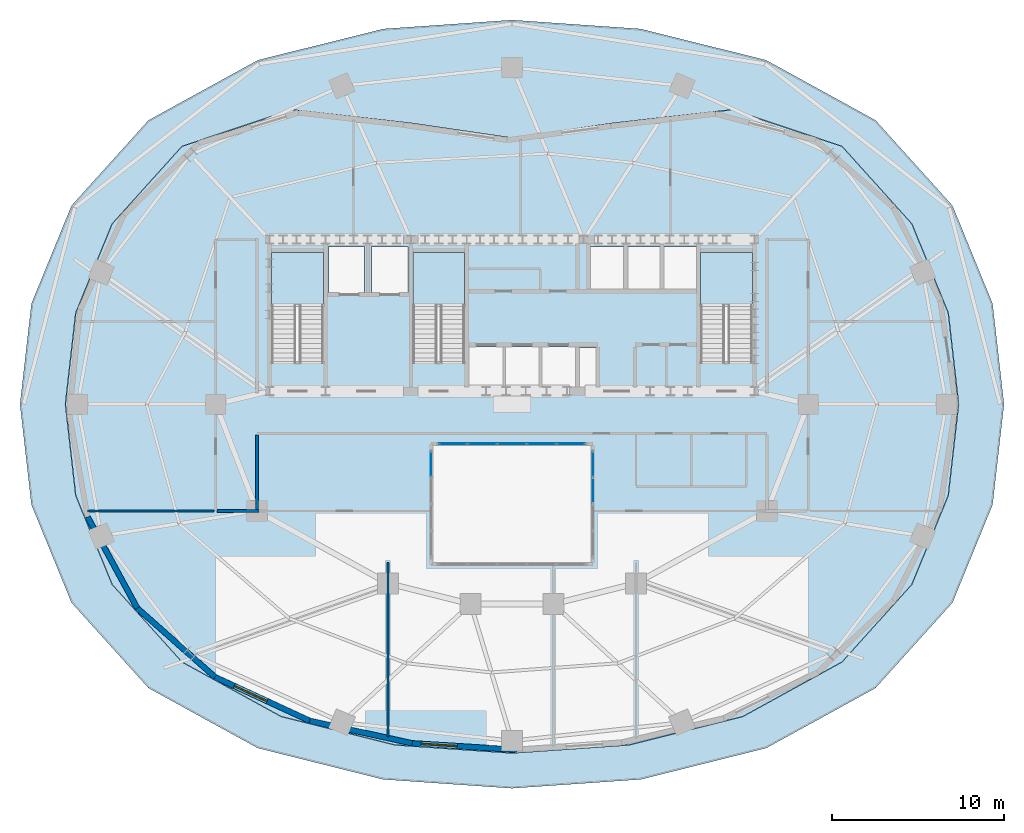
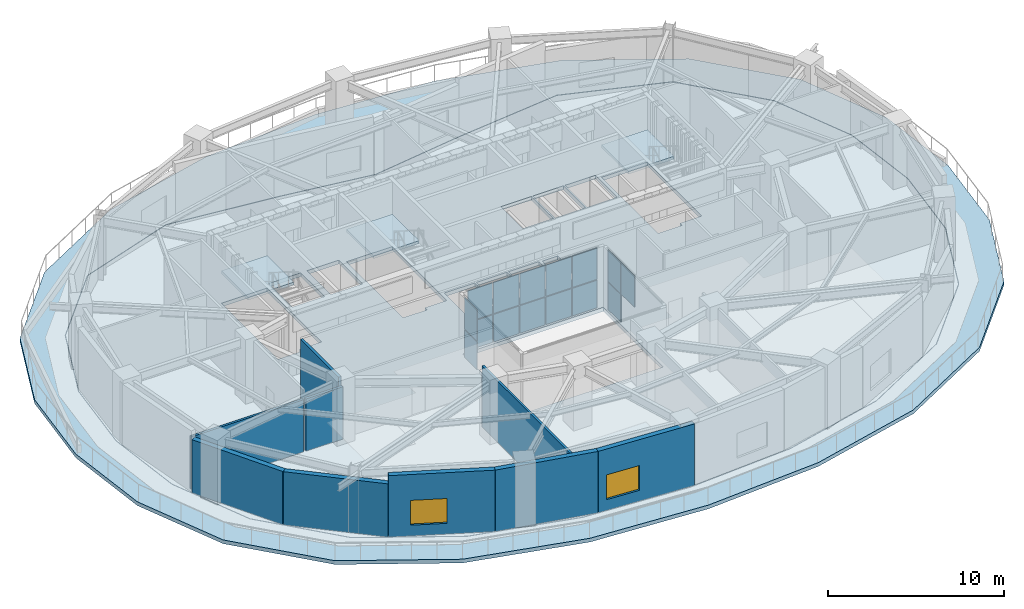
# One storey, part 5 of 11: 15 plates, 9 walls, 5 slabs, 2 windows, 2 openings, 6 elements without a shape of their own.
"""IFC4 building model written with IfcOpenShell, lengths in metres."""

from ifc_helpers import new_model, si_unit, direction, frame, frame_2d, origin, origin_2d, place, context, subcontext, project, spatial, polyline, rectangle, outline, extrude, material, layer, layer_set, type_object, element, fill, aggregate, save


model = new_model("IFC4")

# Units and contexts
model_context = context("Model", 3, precision=1e-05, world=origin(), true_north=direction((0.0, 1.0)))
body_context = subcontext(model_context, "Body", "Model", "MODEL_VIEW")
ifc_project = project(units=[si_unit("LENGTHUNIT", "METRE"), si_unit("AREAUNIT", "SQUARE_METRE"), si_unit("VOLUMEUNIT", "CUBIC_METRE"), si_unit("PLANEANGLEUNIT", "RADIAN"), si_unit("MASSUNIT", "GRAM", prefix="KILO")], contexts=[model_context])

# Site, building, storey
site_placement = place(None, origin())
site = spatial("IfcSite", under=ifc_project, at=site_placement, CompositionType="ELEMENT")
building_placement = place(site_placement, origin())
building = spatial("IfcBuilding", under=site, at=building_placement, Name="Haldorwick Loom Tower", CompositionType="ELEMENT")
storey_placement = place(building_placement, frame((0.0, 0.0, 131.14990234375)))
storey = spatial("IfcBuildingStorey", under=building, at=storey_placement, Name="L35", CompositionType="ELEMENT", Elevation=131.14990234375)

# Curtain wall, plates
ifc_material_1 = material(Name="Thermally Broken Anodized Aluminium Curtain Wall Framing", Category="aluminium")
curtain_wall_type = type_object("IfcCurtainWallType", Name="ARC-CW-03", PredefinedType="NOTDEFINED", material=ifc_material_1)
curtain_wall_1_placement = place(storey_placement, origin())
curtain_wall_1 = element("IfcCurtainWall", 1, at=curtain_wall_1_placement, inside=storey, type_object=curtain_wall_type, Name="L35 Atrium Glazed Screen N", PredefinedType="NOTDEFINED")
ifc_material_2 = material(Name="Triple-Glazed Low-E Argon Insulated Glazing Unit", Category="glass")
ifc_layer_1 = layer(ifc_material_2, 0.04296875, Name="Triple-Glazed Low-E Argon Insulated Glazing Unit", Category="glass")
ifc_layer_set_1 = layer_set([ifc_layer_1], Name="Triple-Glazed Low-E Argon Insulated Glazing Unit")
plate_type = type_object("IfcPlateType", Name="ARC-CWP-03", PredefinedType="CURTAIN_PANEL", material=ifc_layer_set_1)
plate_1_placement = place(storey_placement, frame((32.576416015625, 23.699951171875, 0.066162109375), z_axis=(0.0, 0.0, 1.0), x_axis=(1.0, 0.0, 0.0)))
plate_1 = element("IfcPlate", 2, at=plate_1_placement, type_object=plate_type, Name="CW-03 panel 1.1", PredefinedType="CURTAIN_PANEL", context=body_context, shape_type="SweptSolid", body=[
    extrude(rectangle(XDim=1.62109375, YDim=0.04296875, at=origin_2d()), origin(), (0.0, 0.0, 1.0), 1.90087890625),
])
plate_2_placement = place(storey_placement, frame((32.576416015625, 23.699951171875, 2.033203125), z_axis=(0.0, 0.0, 1.0), x_axis=(1.0, 0.0, 0.0)))
plate_2 = element("IfcPlate", 3, at=plate_2_placement, type_object=plate_type, Name="CW-03 panel 1.2", PredefinedType="CURTAIN_PANEL", context=body_context, shape_type="SweptSolid", body=[
    extrude(rectangle(XDim=1.62109375, YDim=0.04296875, at=origin_2d()), origin(), (0.0, 0.0, 1.0), 2.160888671875),
])
plate_3_placement = place(storey_placement, frame((34.280029296875, 23.699951171875, 0.066162109375), z_axis=(0.0, 0.0, 1.0), x_axis=(1.0, 0.0, 0.0)))
plate_3 = element("IfcPlate", 4, at=plate_3_placement, type_object=plate_type, Name="CW-03 panel 2.1", PredefinedType="CURTAIN_PANEL", context=body_context, shape_type="SweptSolid", body=[
    extrude(rectangle(XDim=1.654052734375, YDim=0.04296875, at=origin_2d()), origin(), (0.0, 0.0, 1.0), 1.90087890625),
])
plate_4_placement = place(storey_placement, frame((34.280029296875, 23.699951171875, 2.033203125), z_axis=(0.0, 0.0, 1.0), x_axis=(1.0, 0.0, 0.0)))
plate_4 = element("IfcPlate", 5, at=plate_4_placement, type_object=plate_type, Name="CW-03 panel 2.2", PredefinedType="CURTAIN_PANEL", context=body_context, shape_type="SweptSolid", body=[
    extrude(rectangle(XDim=1.654052734375, YDim=0.04296875, at=origin_2d()), origin(), (0.0, 0.0, 1.0), 2.160888671875),
])
plate_5_placement = place(storey_placement, frame((36.0, 23.699951171875, 0.066162109375), z_axis=(0.0, 0.0, 1.0), x_axis=(1.0, 0.0, 0.0)))
plate_5 = element("IfcPlate", 6, at=plate_5_placement, type_object=plate_type, Name="CW-03 panel 3.1", PredefinedType="CURTAIN_PANEL", context=body_context, shape_type="SweptSolid", body=[
    extrude(rectangle(XDim=1.654052734375, YDim=0.04296875, at=origin_2d()), origin(), (0.0, 0.0, 1.0), 1.90087890625),
])
plate_6_placement = place(storey_placement, frame((36.0, 23.699951171875, 2.033203125), z_axis=(0.0, 0.0, 1.0), x_axis=(1.0, 0.0, 0.0)))
plate_6 = element("IfcPlate", 7, at=plate_6_placement, type_object=plate_type, Name="CW-03 panel 3.2", PredefinedType="CURTAIN_PANEL", context=body_context, shape_type="SweptSolid", body=[
    extrude(rectangle(XDim=1.654052734375, YDim=0.04296875, at=origin_2d()), origin(), (0.0, 0.0, 1.0), 2.160888671875),
])
plate_7_placement = place(storey_placement, frame((37.719970703125, 23.699951171875, 0.066162109375), z_axis=(0.0, 0.0, 1.0), x_axis=(1.0, 0.0, 0.0)))
plate_7 = element("IfcPlate", 8, at=plate_7_placement, type_object=plate_type, Name="CW-03 panel 4.1", PredefinedType="CURTAIN_PANEL", context=body_context, shape_type="SweptSolid", body=[
    extrude(rectangle(XDim=1.654052734375, YDim=0.04296875, at=origin_2d()), origin(), (0.0, 0.0, 1.0), 1.90087890625),
])
plate_8_placement = place(storey_placement, frame((37.719970703125, 23.699951171875, 2.033203125), z_axis=(0.0, 0.0, 1.0), x_axis=(1.0, 0.0, 0.0)))
plate_8 = element("IfcPlate", 9, at=plate_8_placement, type_object=plate_type, Name="CW-03 panel 4.2", PredefinedType="CURTAIN_PANEL", context=body_context, shape_type="SweptSolid", body=[
    extrude(rectangle(XDim=1.654052734375, YDim=0.04296875, at=origin_2d()), origin(), (0.0, 0.0, 1.0), 2.160888671875),
])
plate_9_placement = place(storey_placement, frame((39.423583984375, 23.699951171875, 0.066162109375), z_axis=(0.0, 0.0, 1.0), x_axis=(1.0, 0.0, 0.0)))
plate_9 = element("IfcPlate", 10, at=plate_9_placement, type_object=plate_type, Name="CW-03 panel 5.1", PredefinedType="CURTAIN_PANEL", context=body_context, shape_type="SweptSolid", body=[
    extrude(rectangle(XDim=1.62109375, YDim=0.04296875, at=origin_2d()), origin(), (0.0, 0.0, 1.0), 1.90087890625),
])
plate_10_placement = place(storey_placement, frame((39.423583984375, 23.699951171875, 2.033203125), z_axis=(0.0, 0.0, 1.0), x_axis=(1.0, 0.0, 0.0)))
plate_10 = element("IfcPlate", 11, at=plate_10_placement, type_object=plate_type, Name="CW-03 panel 5.2", PredefinedType="CURTAIN_PANEL", context=body_context, shape_type="SweptSolid", body=[
    extrude(rectangle(XDim=1.62109375, YDim=0.04296875, at=origin_2d()), origin(), (0.0, 0.0, 1.0), 2.160888671875),
])
aggregate(curtain_wall_1, [plate_1, plate_2, plate_3, plate_4, plate_5, plate_6, plate_7, plate_8, plate_9, plate_10])

curtain_wall_2_placement = place(storey_placement, origin())
curtain_wall_2 = element("IfcCurtainWall", 12, at=curtain_wall_2_placement, inside=storey, type_object=curtain_wall_type, Name="L35 Atrium Glazed Screen W", PredefinedType="NOTDEFINED")
plate_11_placement = place(storey_placement, frame((31.300048828125, 22.508544921875, 0.066162109375), z_axis=(0.0, 0.0, 1.0), x_axis=(0.0, 1.0, 0.0)))
plate_11 = element("IfcPlate", 13, at=plate_11_placement, type_object=plate_type, Name="CW-03 panel 4.1", PredefinedType="CURTAIN_PANEL", context=body_context, shape_type="SweptSolid", body=[
    extrude(rectangle(XDim=1.450927734375, YDim=0.04296875, at=origin_2d()), origin(), (0.0, 0.0, 1.0), 1.90087890625),
])
plate_12_placement = place(storey_placement, frame((31.300048828125, 22.508544921875, 2.033203125), z_axis=(0.0, 0.0, 1.0), x_axis=(0.0, 1.0, 0.0)))
plate_12 = element("IfcPlate", 14, at=plate_12_placement, type_object=plate_type, Name="CW-03 panel 4.2", PredefinedType="CURTAIN_PANEL", context=body_context, shape_type="SweptSolid", body=[
    extrude(rectangle(XDim=1.450927734375, YDim=0.04296875, at=origin_2d()), origin(), (0.0, 0.0, 1.0), 2.160888671875),
])
aggregate(curtain_wall_2, [plate_11, plate_12])

curtain_wall_3_placement = place(storey_placement, origin())
curtain_wall_3 = element("IfcCurtainWall", 15, at=curtain_wall_3_placement, inside=storey, type_object=curtain_wall_type, Name="L35 Atrium Glazed Screen E", PredefinedType="NOTDEFINED")
plate_13_placement = place(storey_placement, frame((40.699951171875, 22.508544921875, 0.066162109375), z_axis=(0.0, 0.0, 1.0), x_axis=(0.0, -1.0, 0.0)))
plate_13 = element("IfcPlate", 16, at=plate_13_placement, type_object=plate_type, Name="CW-03 panel 1.1", PredefinedType="CURTAIN_PANEL", context=body_context, shape_type="SweptSolid", body=[
    extrude(rectangle(XDim=1.450927734375, YDim=0.04296875, at=origin_2d()), origin(), (0.0, 0.0, 1.0), 1.90087890625),
])
plate_14_placement = place(storey_placement, frame((40.699951171875, 22.508544921875, 2.033203125), z_axis=(0.0, 0.0, 1.0), x_axis=(0.0, -1.0, 0.0)))
plate_14 = element("IfcPlate", 17, at=plate_14_placement, type_object=plate_type, Name="CW-03 panel 1.2", PredefinedType="CURTAIN_PANEL", context=body_context, shape_type="SweptSolid", body=[
    extrude(rectangle(XDim=1.450927734375, YDim=0.04296875, at=origin_2d()), origin(), (0.0, 0.0, 1.0), 2.160888671875),
])
plate_15_placement = place(storey_placement, frame((40.699951171875, 20.97509765625, 2.033203125), z_axis=(0.0, 0.0, 1.0), x_axis=(0.0, -1.0, 0.0)))
plate_15 = element("IfcPlate", 18, at=plate_15_placement, type_object=plate_type, Name="CW-03 panel 2.2", PredefinedType="CURTAIN_PANEL", context=body_context, shape_type="SweptSolid", body=[
    extrude(rectangle(XDim=1.48388671875, YDim=0.04296875, at=origin_2d()), origin(), (0.0, 0.0, 1.0), 2.160888671875),
])
aggregate(curtain_wall_3, [plate_13, plate_14, plate_15])

# Slab
ifc_material_3 = material(Name="Concrete C40 (40 MPa)", Category="concrete")
ifc_layer_2 = layer(ifc_material_3, 0.260009765625, Name="Concrete C40 (40 MPa)", Category="concrete")
ifc_layer_set_2 = layer_set([ifc_layer_2], Name="Concrete C40 (40 MPa)")
slab_type_1 = type_object("IfcSlabType", Name="STR-SLB-COMM260", PredefinedType="FLOOR", material=ifc_layer_set_2)
slab_1_placement = place(storey_placement, frame((0.0, 0.0, -0.260009765625)))
element("IfcSlab", 19, at=slab_1_placement, inside=storey, type_object=slab_type_1, Name="L35 Community Sky-Floor Slab", PredefinedType="FLOOR", context=body_context, shape_type="SweptSolid", body=[
    extrude(outline(polyline([(55.150634765625, 11.041015625), (59.2021484375, 15.5361328125), (61.3154296875, 20.701416015625), (61.9169921875, 26.0), (61.3154296875, 31.298583984375), (59.2021484375, 36.4638671875), (55.150634765625, 40.958984375), (48.7958984375, 43.084716796875), (41.8515625, 42.29736328125), (36.0, 41.444580078125), (30.1484375, 42.29736328125), (23.204345703125, 43.084716796875), (16.849365234375, 40.958984375), (12.7978515625, 36.4638671875), (10.6845703125, 31.298583984375), (10.0830078125, 26.0), (10.6845703125, 20.701416015625), (12.7978515625, 15.5361328125), (16.849365234375, 11.041015625), (22.604248046875, 7.876220703125), (29.216796875, 6.225341796875), (36.0, 5.75537109375), (42.783203125, 6.225341796875), (49.395751953125, 7.876220703125), (55.150634765625, 11.041015625)]), holes=[polyline([(31.39990234375, 16.800048828125), (31.39990234375, 23.60009765625), (40.60009765625, 23.60009765625), (40.60009765625, 16.800048828125), (31.39990234375, 16.800048828125)]), polyline([(33.5, 26.85009765625), (33.5, 29.35009765625), (35.5, 29.35009765625), (35.5, 26.85009765625), (33.5, 26.85009765625)]), polyline([(35.60009765625, 26.85009765625), (35.60009765625, 29.35009765625), (37.60009765625, 29.35009765625), (37.60009765625, 26.85009765625), (35.60009765625, 26.85009765625)]), polyline([(23.6201171875, 28.39990234375), (22.050048828125, 28.39990234375), (22.050048828125, 34.800048828125), (25.050048828125, 34.800048828125), (25.050048828125, 28.639892578125), (23.6201171875, 28.639892578125), (23.6201171875, 28.39990234375)]), polyline([(30.25, 28.39990234375), (30.25, 34.800048828125), (33.25, 34.800048828125), (33.25, 28.639892578125), (31.820068359375, 28.639892578125), (31.820068359375, 28.39990234375), (30.25, 28.39990234375)]), polyline([(25.35009765625, 32.449951171875), (25.35009765625, 35.14990234375), (27.449951171875, 35.14990234375), (27.449951171875, 32.449951171875), (25.35009765625, 32.449951171875)]), polyline([(29.949951171875, 32.449951171875), (27.85009765625, 32.449951171875), (27.85009765625, 35.14990234375), (29.949951171875, 35.14990234375), (29.949951171875, 32.449951171875)]), polyline([(37.699951171875, 26.85009765625), (37.699951171875, 29.35009765625), (39.699951171875, 29.35009765625), (39.699951171875, 26.85009765625), (37.699951171875, 26.85009765625)]), polyline([(39.89990234375, 26.89990234375), (39.89990234375, 29.300048828125), (40.89990234375, 29.300048828125), (40.89990234375, 26.89990234375), (39.89990234375, 26.89990234375)]), polyline([(46.949951171875, 28.39990234375), (46.949951171875, 34.800048828125), (49.949951171875, 34.800048828125), (49.949951171875, 28.639892578125), (48.52001953125, 28.639892578125), (48.52001953125, 28.39990234375), (46.949951171875, 28.39990234375)]), polyline([(40.550048828125, 32.64990234375), (40.550048828125, 35.14990234375), (42.550048828125, 35.14990234375), (42.550048828125, 32.64990234375), (40.550048828125, 32.64990234375)]), polyline([(42.64990234375, 32.64990234375), (42.64990234375, 35.14990234375), (44.64990234375, 35.14990234375), (44.64990234375, 32.64990234375), (42.64990234375, 32.64990234375)]), polyline([(44.75, 32.64990234375), (44.75, 35.14990234375), (46.75, 35.14990234375), (46.75, 32.64990234375), (44.75, 32.64990234375)])]), origin(), (0.0, 0.0, 1.0), 0.260009765625),
])

# Stair, slab
stair_type = type_object("IfcStairType", Name="STR-STR-CORE", PredefinedType="HALF_TURN_STAIR", material=ifc_material_3)
stair_1_placement = place(storey_placement, origin())
stair_1 = element("IfcStair", 20, at=stair_1_placement, inside=storey, type_object=stair_type, Name="L35 Exit Stair ST-01", PredefinedType="HALF_TURN_STAIR")
ifc_layer_3 = layer(ifc_material_3, 0.199951171875, Name="Concrete C40 (40 MPa)", Category="concrete")
ifc_layer_set_3 = layer_set([ifc_layer_3], Name="Concrete C40 (40 MPa)")
slab_type_2 = type_object("IfcSlabType", Name="STR-SLB-LAND200", PredefinedType="LANDING", material=ifc_layer_set_3)
slab_2_placement = place(storey_placement, frame((0.0, 0.0, 2.050048828125)))
slab_2 = element("IfcSlab", 21, at=slab_2_placement, type_object=slab_type_2, Name="ST-01 landing 1", PredefinedType="LANDING", context=body_context, shape_type="SweptSolid", body=[
    extrude(outline(polyline([(25.050048828125, 31.760009765625), (25.050048828125, 34.800048828125), (22.050048828125, 34.800048828125), (22.050048828125, 31.760009765625), (25.050048828125, 31.760009765625)])), origin(), (0.0, 0.0, 1.0), 0.199951171875),
])
aggregate(stair_1, [slab_2])

stair_2_placement = place(storey_placement, origin())
stair_2 = element("IfcStair", 22, at=stair_2_placement, inside=storey, type_object=stair_type, Name="L35 Exit Stair ST-02", PredefinedType="HALF_TURN_STAIR")
slab_3_placement = place(storey_placement, frame((0.0, 0.0, 2.050048828125)))
slab_3 = element("IfcSlab", 23, at=slab_3_placement, type_object=slab_type_2, Name="ST-02 landing 1", PredefinedType="LANDING", context=body_context, shape_type="SweptSolid", body=[
    extrude(outline(polyline([(49.949951171875, 31.760009765625), (49.949951171875, 34.800048828125), (46.949951171875, 34.800048828125), (46.949951171875, 31.760009765625), (49.949951171875, 31.760009765625)])), origin(), (0.0, 0.0, 1.0), 0.199951171875),
])
aggregate(stair_2, [slab_3])

stair_3_placement = place(storey_placement, origin())
stair_3 = element("IfcStair", 24, at=stair_3_placement, inside=storey, type_object=stair_type, Name="L35 Exit Stair ST-03", PredefinedType="HALF_TURN_STAIR")
slab_4_placement = place(storey_placement, frame((0.0, 0.0, 2.050048828125)))
slab_4 = element("IfcSlab", 25, at=slab_4_placement, type_object=slab_type_2, Name="ST-03 landing 1", PredefinedType="LANDING", context=body_context, shape_type="SweptSolid", body=[
    extrude(outline(polyline([(33.25, 31.760009765625), (33.25, 34.800048828125), (30.25, 34.800048828125), (30.25, 31.760009765625), (33.25, 31.760009765625)])), origin(), (0.0, 0.0, 1.0), 0.199951171875),
])
aggregate(stair_3, [slab_4])

# Slab
ifc_layer_4 = layer(ifc_material_3, 0.280029296875, Name="Concrete C40 (40 MPa)", Category="concrete")
ifc_layer_set_4 = layer_set([ifc_layer_4], Name="Concrete C40 (40 MPa)")
slab_type_3 = type_object("IfcSlabType", Name="STR-SLB-TERR280", PredefinedType="FLOOR", material=ifc_layer_set_4)
slab_5_placement = place(storey_placement, frame((0.0, 0.0, -0.260009765625)))
element("IfcSlab", 26, at=slab_5_placement, inside=storey, type_object=slab_type_3, Name="L35 Planted Setback Terrace Slab 1", PredefinedType="FLOOR", context=body_context, shape_type="SweptSolid", body=[
    extrude(outline(polyline([(64.557373046875, 25.997802734375), (64.5576171875, 26.0), (64.557373046875, 26.002197265625), (63.89501953125, 31.83349609375), (63.894775390625, 31.835205078125), (63.894287109375, 31.8369140625), (63.893798828125, 31.8388671875), (61.5673828125, 37.522216796875), (61.566650390625, 37.523681640625), (61.56591796875, 37.525146484375), (61.56494140625, 37.526611328125), (61.563720703125, 37.528076171875), (57.10400390625, 42.47412109375), (57.1025390625, 42.475830078125), (57.1005859375, 42.47705078125), (57.098876953125, 42.478271484375), (50.762939453125, 45.961181640625), (50.76123046875, 45.962158203125), (50.759765625, 45.962646484375), (50.758056640625, 45.963134765625), (43.47607421875, 47.780517578125), (43.474365234375, 47.78076171875), (43.47265625, 47.781005859375), (36.00146484375, 48.29833984375), (35.99853515625, 48.29833984375), (28.52734375, 47.781005859375), (28.525634765625, 47.78076171875), (28.52392578125, 47.780517578125), (21.241943359375, 45.963134765625), (21.240234375, 45.962646484375), (21.23876953125, 45.962158203125), (21.237060546875, 45.961181640625), (14.901123046875, 42.478271484375), (14.8994140625, 42.47705078125), (14.8974609375, 42.475830078125), (14.89599609375, 42.47412109375), (10.436279296875, 37.528076171875), (10.43505859375, 37.526611328125), (10.43408203125, 37.525146484375), (10.433349609375, 37.523681640625), (10.4326171875, 37.522216796875), (8.106201171875, 31.8388671875), (8.105712890625, 31.8369140625), (8.105224609375, 31.835205078125), (8.10498046875, 31.83349609375), (7.442626953125, 26.002197265625), (7.4423828125, 26.0), (7.442626953125, 25.997802734375), (8.10498046875, 20.16650390625), (8.105224609375, 20.164794921875), (8.105712890625, 20.1630859375), (8.106201171875, 20.1611328125), (10.4326171875, 14.477783203125), (10.433349609375, 14.476318359375), (10.43408203125, 14.474853515625), (10.43505859375, 14.473388671875), (10.436279296875, 14.471923828125), (14.89599609375, 9.52587890625), (14.8974609375, 9.524169921875), (14.8994140625, 9.52294921875), (14.901123046875, 9.521728515625), (21.237060546875, 6.038818359375), (21.23876953125, 6.037841796875), (21.240234375, 6.037353515625), (21.241943359375, 6.036865234375), (28.52392578125, 4.219482421875), (28.525634765625, 4.21923828125), (28.52734375, 4.218994140625), (35.99853515625, 3.70166015625), (36.00146484375, 3.70166015625), (43.47265625, 4.218994140625), (43.474365234375, 4.21923828125), (43.47607421875, 4.219482421875), (50.758056640625, 6.036865234375), (50.759765625, 6.037353515625), (50.76123046875, 6.037841796875), (50.762939453125, 6.038818359375), (57.098876953125, 9.521728515625), (57.1005859375, 9.52294921875), (57.1025390625, 9.524169921875), (57.10400390625, 9.52587890625), (61.563720703125, 14.471923828125), (61.56494140625, 14.473388671875), (61.56591796875, 14.474853515625), (61.566650390625, 14.476318359375), (61.5673828125, 14.477783203125), (63.893798828125, 20.1611328125), (63.894287109375, 20.1630859375), (63.894775390625, 20.164794921875), (63.89501953125, 20.16650390625), (64.557373046875, 25.997802734375)]), holes=[polyline([(61.931884765625, 25.99853515625), (61.931884765625, 25.998046875), (61.330322265625, 20.699951171875), (61.330322265625, 20.699462890625), (61.330322265625, 20.69873046875), (61.330078125, 20.697998046875), (61.330078125, 20.697509765625), (61.32958984375, 20.696533203125), (61.32958984375, 20.69580078125), (61.329345703125, 20.695556640625), (59.216064453125, 15.530517578125), (59.2158203125, 15.5302734375), (59.215576171875, 15.529541015625), (59.215087890625, 15.52880859375), (59.215087890625, 15.528564453125), (59.214599609375, 15.52783203125), (59.21435546875, 15.52734375), (59.2138671875, 15.526611328125), (59.21337890625, 15.526123046875), (59.213134765625, 15.52587890625), (55.161865234375, 11.031005859375), (55.16162109375, 11.03076171875), (55.160888671875, 11.030029296875), (55.16015625, 11.029296875), (55.15966796875, 11.029052734375), (55.15869140625, 11.0283203125), (55.158203125, 11.02783203125), (55.15771484375, 11.027587890625), (49.403076171875, 7.863037109375), (49.402587890625, 7.86279296875), (49.402099609375, 7.862548828125), (49.4013671875, 7.8623046875), (49.40087890625, 7.862060546875), (49.400146484375, 7.86181640625), (49.3994140625, 7.861572265625), (49.399169921875, 7.861572265625), (42.787109375, 6.210693359375), (42.78662109375, 6.210693359375), (42.7861328125, 6.210693359375), (42.78515625, 6.21044921875), (42.78466796875, 6.21044921875), (42.7841796875, 6.210205078125), (36.00146484375, 5.740478515625), (36.000732421875, 5.740478515625), (35.999267578125, 5.740478515625), (35.99853515625, 5.740478515625), (29.2158203125, 6.210205078125), (29.21533203125, 6.21044921875), (29.21484375, 6.21044921875), (29.2138671875, 6.210693359375), (29.21337890625, 6.210693359375), (29.212890625, 6.210693359375), (22.600830078125, 7.861572265625), (22.600341796875, 7.861572265625), (22.599609375, 7.86181640625), (22.598876953125, 7.862060546875), (22.598388671875, 7.8623046875), (22.59765625, 7.862548828125), (22.59716796875, 7.86279296875), (22.5966796875, 7.863037109375), (16.84228515625, 11.027587890625), (16.841796875, 11.02783203125), (16.84130859375, 11.0283203125), (16.84033203125, 11.029052734375), (16.83984375, 11.029296875), (16.839111328125, 11.030029296875), (16.83837890625, 11.03076171875), (16.838134765625, 11.031005859375), (12.786865234375, 15.52587890625), (12.78662109375, 15.526123046875), (12.7861328125, 15.526611328125), (12.78564453125, 15.52734375), (12.785400390625, 15.52783203125), (12.784912109375, 15.528564453125), (12.784912109375, 15.52880859375), (12.784423828125, 15.529541015625), (12.7841796875, 15.5302734375), (12.783935546875, 15.530517578125), (10.670654296875, 20.695556640625), (10.67041015625, 20.69580078125), (10.67041015625, 20.696533203125), (10.669921875, 20.697509765625), (10.669921875, 20.697998046875), (10.669677734375, 20.69873046875), (10.669677734375, 20.699462890625), (10.669677734375, 20.699951171875), (10.068115234375, 25.998046875), (10.068115234375, 25.99853515625), (10.068115234375, 25.99951171875), (10.068115234375, 26.00048828125), (10.068115234375, 26.00146484375), (10.068115234375, 26.001953125), (10.669677734375, 31.300048828125), (10.669677734375, 31.300537109375), (10.669677734375, 31.30126953125), (10.669921875, 31.302001953125), (10.669921875, 31.302490234375), (10.67041015625, 31.303466796875), (10.67041015625, 31.30419921875), (10.670654296875, 31.304443359375), (12.783935546875, 36.46923828125), (12.7841796875, 36.4697265625), (12.784423828125, 36.47021484375), (12.784912109375, 36.470947265625), (12.784912109375, 36.471435546875), (12.785400390625, 36.47216796875), (12.78564453125, 36.472412109375), (12.7861328125, 36.47314453125), (12.78662109375, 36.4736328125), (12.786865234375, 36.47412109375), (16.838134765625, 40.968994140625), (16.83837890625, 40.96923828125), (16.839111328125, 40.969970703125), (16.839599609375, 40.970703125), (16.840087890625, 40.970947265625), (16.841064453125, 40.971435546875), (16.84130859375, 40.9716796875), (16.84228515625, 40.972412109375), (16.8427734375, 40.972412109375), (16.84375, 40.972900390625), (16.844482421875, 40.97314453125), (16.844970703125, 40.973388671875), (23.19921875, 43.098876953125), (23.19970703125, 43.09912109375), (23.20068359375, 43.09912109375), (23.20166015625, 43.099365234375), (23.2021484375, 43.099609375), (23.203369140625, 43.099609375), (23.203857421875, 43.099609375), (23.204833984375, 43.099609375), (23.205810546875, 43.099609375), (23.206298828125, 43.099609375), (30.150146484375, 42.312255859375), (30.150390625, 42.312255859375), (30.150634765625, 42.312255859375), (30.150634765625, 42.312255859375), (35.9970703125, 41.460205078125), (35.9990234375, 41.4599609375), (36.0009765625, 41.4599609375), (36.0029296875, 41.460205078125), (41.849365234375, 42.312255859375), (41.849365234375, 42.312255859375), (41.849609375, 42.312255859375), (41.849853515625, 42.312255859375), (48.793701171875, 43.099609375), (48.79443359375, 43.099609375), (48.795166015625, 43.099609375), (48.79638671875, 43.099609375), (48.796875, 43.099609375), (48.7978515625, 43.099609375), (48.79833984375, 43.099365234375), (48.799560546875, 43.09912109375), (48.80029296875, 43.09912109375), (48.80078125, 43.098876953125), (55.155029296875, 40.973388671875), (55.155517578125, 40.97314453125), (55.15625, 40.972900390625), (55.1572265625, 40.972412109375), (55.15771484375, 40.972412109375), (55.15869140625, 40.9716796875), (55.158935546875, 40.971435546875), (55.159912109375, 40.970947265625), (55.160400390625, 40.970703125), (55.160888671875, 40.969970703125), (55.16162109375, 40.96923828125), (55.161865234375, 40.968994140625), (59.213134765625, 36.47412109375), (59.21337890625, 36.4736328125), (59.2138671875, 36.47314453125), (59.21435546875, 36.472412109375), (59.214599609375, 36.47216796875), (59.215087890625, 36.471435546875), (59.215087890625, 36.470947265625), (59.215576171875, 36.47021484375), (59.2158203125, 36.4697265625), (59.216064453125, 36.46923828125), (61.329345703125, 31.304443359375), (61.32958984375, 31.30419921875), (61.32958984375, 31.303466796875), (61.330078125, 31.302490234375), (61.330078125, 31.302001953125), (61.330322265625, 31.30126953125), (61.330322265625, 31.300537109375), (61.330322265625, 31.300048828125), (61.931884765625, 26.001953125), (61.931884765625, 26.00146484375), (61.931884765625, 26.00048828125), (61.931884765625, 25.99951171875), (61.931884765625, 25.99853515625)])]), origin(), (0.0, 0.0, 1.0), 0.260009765625),
])

# Walls
ifc_material_4 = material(Name="Pressed Clay Face Brick and Insulated Masonry Backup Assembly", Category="masonry")
ifc_layer_5 = layer(ifc_material_4, 0.320068359375, Name="Pressed Clay Face Brick and Insulated Masonry Backup Assembly", Category="masonry")
ifc_layer_set_5 = layer_set([ifc_layer_5], Name="Pressed Clay Face Brick and Insulated Masonry Backup Assembly")
wall_type_1 = type_object("IfcWallType", Name="ARC-WL-EXT320", PredefinedType="STANDARD", material=ifc_layer_set_5)
wall_1_placement = place(storey_placement, frame((11.365478515625, 19.4560546875, 0.0), z_axis=(0.0, 0.0, 1.0), x_axis=(0.477898101825, -0.878415280076, 0.0)))
element("IfcWall", 27, at=wall_1_placement, inside=storey, type_object=wall_type_1, Name="L35 Brick Pier and Spandrel Wall 14", PredefinedType="STANDARD", context=body_context, shape_type="SweptSolid", body=[
    extrude(rectangle(XDim=6.026123046875, YDim=0.320068359375, at=frame_2d((3.01318359375, 0.0))), origin(), (0.0, 0.0, 1.0), 3.691162109375),
])
wall_2_placement = place(storey_placement, frame((14.245361328125, 14.16259765625, 0.0), z_axis=(0.0, 0.0, 1.0), x_axis=(0.748460680763, -0.663179168363, 0.0)))
element("IfcWall", 28, at=wall_2_placement, inside=storey, type_object=wall_type_1, Name="L35 Brick Pier and Spandrel Wall 15", PredefinedType="STANDARD", context=body_context, shape_type="SweptSolid", body=[
    extrude(rectangle(XDim=6.029052734375, YDim=0.320068359375, at=frame_2d((3.0146484375, 0.0))), origin(), (0.0, 0.0, 1.0), 3.691162109375),
])

# Wall, opening, window
wall_3_placement = place(storey_placement, frame((18.7578125, 10.164306640625, 0.0), z_axis=(0.0, 0.0, 1.0), x_axis=(0.907614959327, -0.419803627432, 0.0)))
wall_3 = element("IfcWall", 29, at=wall_3_placement, inside=storey, type_object=wall_type_1, Name="L35 Brick Pier and Spandrel Wall 16", PredefinedType="STANDARD", context=body_context, shape_type="SweptSolid", body=[
    extrude(rectangle(XDim=6.063232421875, YDim=0.320068359375, at=frame_2d((3.03173828125, 0.0))), origin(), (0.0, 0.0, 1.0), 4.260009765625),
])
opening_1_placement = place(wall_3_placement, frame((1.235595703125, 0.0, 0.75)))
opening_1 = element("IfcOpeningElement", 30, at=opening_1_placement, cuts=wall_3, Name="Opening W-04", PredefinedType="OPENING", context=body_context, shape_type="SweptSolid", body=[
    extrude(rectangle(XDim=2.10009765625, YDim=1.719970703125, at=frame_2d((1.050048828125, 0.85986328125))), frame((0.0, 0.169921875, 0.0), z_axis=(0.0, -1.0, 0.0), x_axis=(1.0, 0.0, 0.0)), (0.0, 0.0, 1.0), 0.340087890625),
])
window_type = type_object("IfcWindowType", Name="ARC-WIN-W210", PartitioningType="SINGLE_PANEL", PredefinedType="WINDOW", material=ifc_material_2)
window_1_placement = place(opening_1_placement, origin())
window_1 = element("IfcWindow", 31, at=window_1_placement, inside=storey, type_object=window_type, Name="L35 Deep-Set Zone 7A Window 16", OverallHeight=1.719970703125, OverallWidth=2.10009765625, PartitioningType="SINGLE_PANEL", PredefinedType="WINDOW", context=body_context, shape_type="SweptSolid", body=[
    extrude(rectangle(XDim=2.10009765625, YDim=1.719970703125, at=frame_2d((1.050048828125, 0.85986328125))), frame((0.0, 0.030029296875, 0.0), z_axis=(0.0, -1.0, 0.0), x_axis=(1.0, 0.0, 0.0)), (0.0, 0.0, 1.0), 0.06005859375),
])
fill(opening_1, window_1)

# Wall
wall_4_placement = place(storey_placement, frame((24.260986328125, 7.618896484375, 0.0), z_axis=(0.0, 0.0, 1.0), x_axis=(0.976730409432, -0.214470760923, 0.0)))
element("IfcWall", 32, at=wall_4_placement, inside=storey, type_object=wall_type_1, Name="L35 Brick Pier and Spandrel Wall 17", PredefinedType="STANDARD", context=body_context, shape_type="SweptSolid", body=[
    extrude(rectangle(XDim=6.086669921875, YDim=0.320068359375, at=frame_2d((3.04345703125, 0.0))), origin(), (0.0, 0.0, 1.0), 4.260009765625),
])

# Wall, opening, window
wall_5_placement = place(storey_placement, frame((30.2060546875, 6.3134765625, 0.0), z_axis=(0.0, 0.0, 1.0), x_axis=(0.998071709709, -0.062071428849, 0.0)))
wall_5 = element("IfcWall", 33, at=wall_5_placement, inside=storey, type_object=wall_type_1, Name="L35 Brick Pier and Spandrel Wall 18", PredefinedType="STANDARD", context=body_context, shape_type="SweptSolid", body=[
    extrude(rectangle(XDim=6.092529296875, YDim=0.320068359375, at=frame_2d((3.04638671875, 0.0))), origin(), (0.0, 0.0, 1.0), 4.260009765625),
])
opening_2_placement = place(wall_5_placement, frame((0.520751953125, 0.0, 0.75)))
opening_2 = element("IfcOpeningElement", 34, at=opening_2_placement, cuts=wall_5, Name="Opening W-04", PredefinedType="OPENING", context=body_context, shape_type="SweptSolid", body=[
    extrude(rectangle(XDim=2.10009765625, YDim=1.719970703125, at=frame_2d((1.050048828125, 0.85986328125))), frame((0.0, 0.169921875, 0.0), z_axis=(0.0, -1.0, 0.0), x_axis=(1.0, 0.0, 0.0)), (0.0, 0.0, 1.0), 0.340087890625),
])
window_2_placement = place(opening_2_placement, origin())
window_2 = element("IfcWindow", 35, at=window_2_placement, inside=storey, type_object=window_type, Name="L35 Deep-Set Zone 7A Window 18", OverallHeight=1.719970703125, OverallWidth=2.10009765625, PartitioningType="SINGLE_PANEL", PredefinedType="WINDOW", context=body_context, shape_type="SweptSolid", body=[
    extrude(rectangle(XDim=2.10009765625, YDim=1.719970703125, at=frame_2d((1.050048828125, 0.85986328125))), frame((0.0, 0.030029296875, 0.0), z_axis=(0.0, -1.0, 0.0), x_axis=(1.0, 0.0, 0.0)), (0.0, 0.0, 1.0), 0.06005859375),
])
fill(opening_2, window_2)

# Walls
ifc_material_5 = material(Name="Fire-Rated Type X Gypsum Stud Assembly EI 60")
ifc_layer_6 = layer(ifc_material_5, 0.159912109375, Name="Fire-Rated Type X Gypsum Stud Assembly EI 60")
ifc_layer_set_6 = layer_set([ifc_layer_6], Name="Fire-Rated Type X Gypsum Stud Assembly EI 60")
wall_type_2 = type_object("IfcWallType", Name="ARC-WL-FIRE160", PredefinedType="PARTITIONING", material=ifc_layer_set_6)
wall_6_placement = place(storey_placement, frame((18.883056640625, 19.800048828125, 0.0), z_axis=(0.0, 0.0, 1.0), x_axis=(1.0, 0.0, 0.0)))
element("IfcWall", 36, at=wall_6_placement, inside=storey, type_object=wall_type_2, Name="L35 Interior Partition L35-CWS", PredefinedType="PARTITIONING", context=body_context, shape_type="SweptSolid", body=[
    extrude(rectangle(XDim=2.43701171875, YDim=0.159912109375, at=frame_2d((1.218505859375, 0.0))), origin(), (0.0, 0.0, 1.0), 3.6181640625),
])
wall_7_placement = place(storey_placement, frame((21.199951171875, 19.883056640625, 0.0), z_axis=(0.0, 0.0, 1.0), x_axis=(0.0, 1.0, 0.0)))
element("IfcWall", 37, at=wall_7_placement, inside=storey, type_object=wall_type_2, Name="L35 Interior Partition L35-CW1", PredefinedType="PARTITIONING", context=body_context, shape_type="SweptSolid", body=[
    extrude(rectangle(XDim=4.333984375, YDim=0.159912109375, at=frame_2d((2.1669921875, 0.0))), origin(), (0.0, 0.0, 1.0), 4.2451171875),
])
ifc_layer_7 = layer(ifc_material_5, 0.139892578125, Name="Fire-Rated Type X Gypsum Stud Assembly EI 60")
ifc_layer_set_7 = layer_set([ifc_layer_7], Name="Fire-Rated Type X Gypsum Stud Assembly EI 60")
wall_type_3 = type_object("IfcWallType", Name="ARC-WL-PART140", PredefinedType="PARTITIONING", material=ifc_layer_set_7)
wall_8_placement = place(storey_placement, frame((28.800048828125, 6.688720703125, 0.0), z_axis=(0.0, 0.0, 1.0), x_axis=(0.0, 1.0, 0.0)))
element("IfcWall", 38, at=wall_8_placement, inside=storey, type_object=wall_type_3, Name="L35 Interior Partition L35-S-0", PredefinedType="PARTITIONING", context=body_context, shape_type="SweptSolid", body=[
    extrude(rectangle(XDim=10.111328125, YDim=0.139892578125, at=frame_2d((5.0556640625, 0.0))), origin(), (0.0, 0.0, 1.0), 4.2451171875),
])
wall_9_placement = place(storey_placement, frame((11.37060546875, 19.800048828125, 0.0), z_axis=(0.0, 0.0, 1.0), x_axis=(1.0, 0.0, 0.0)))
element("IfcWall", 39, at=wall_9_placement, inside=storey, type_object=wall_type_3, Name="L35 Interior Partition L35-WL-S", PredefinedType="PARTITIONING", context=body_context, shape_type="SweptSolid", body=[
    extrude(rectangle(XDim=7.346435546875, YDim=0.139892578125, at=frame_2d((3.67333984375, 0.0))), origin(), (0.0, 0.0, 1.0), 3.6181640625),
])

save(model, "model.ifc")
